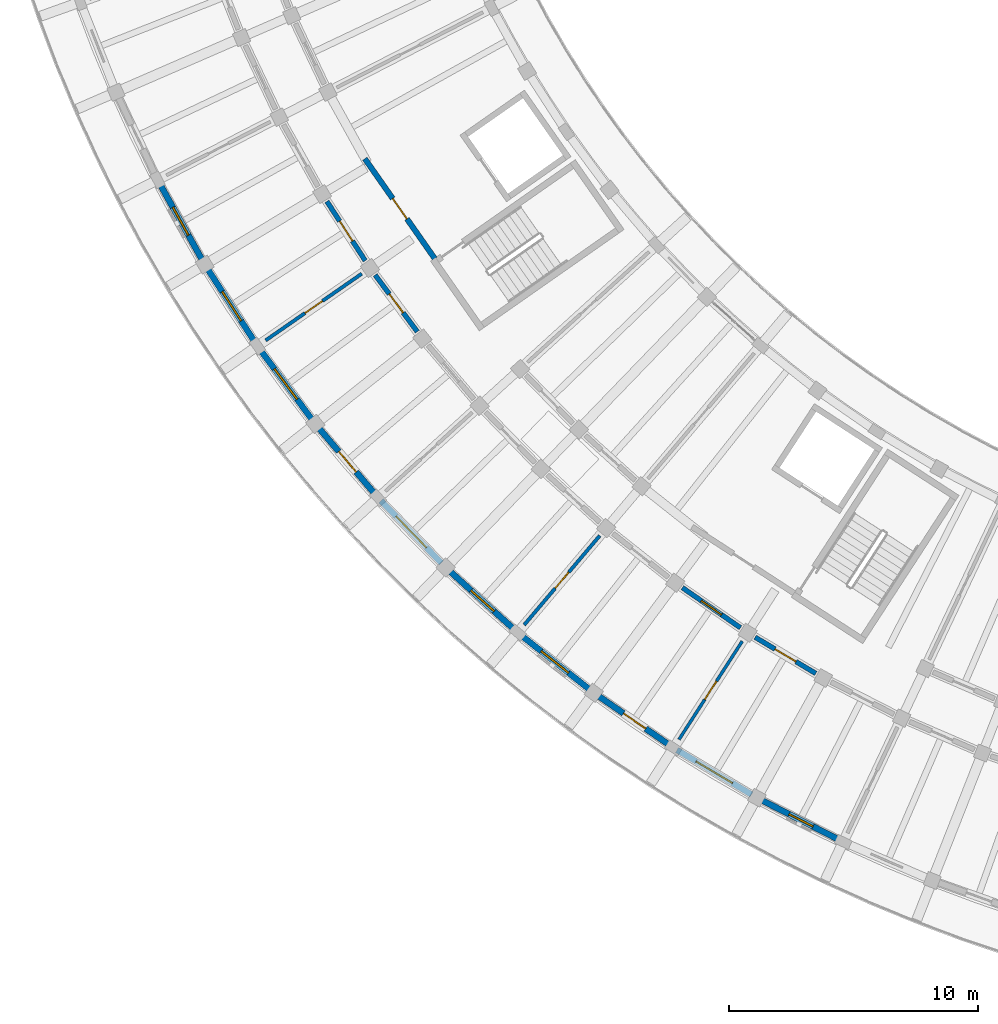
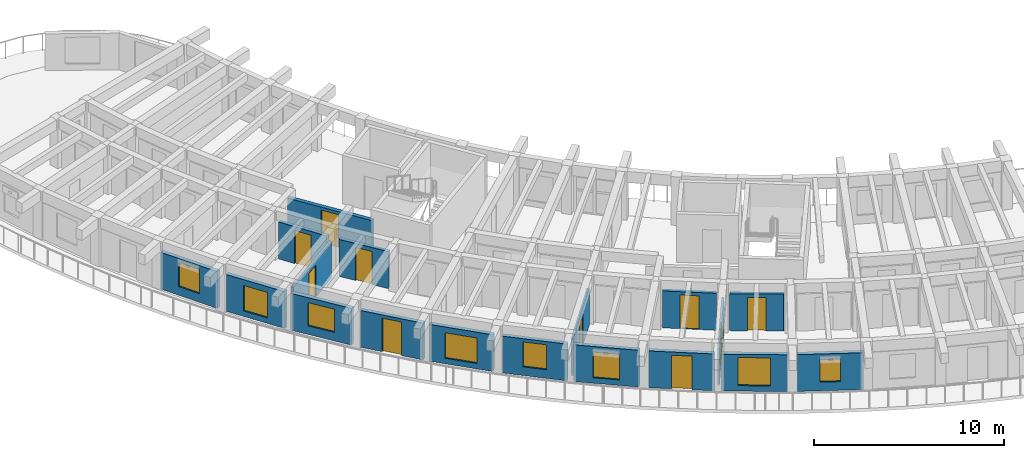
# One storey, part 27 of 69: 18 walls, 10 doors, 8 windows, 18 openings.
"""IFC4 building model written with IfcOpenShell, lengths in metres."""

import ifcopenshell
import ifcopenshell.guid

model = None  # the IFC model being written
_history = None  # IfcOwnerHistory: only IFC2X3 demands one
_inside = {}  # id of a spatial element -> (the spatial element, [elements in it])
_under = {}  # id of a project, library or spatial element -> (it, [spatial elements below it])
_declared = {}  # id of a project -> (the project, [libraries it declares])
_typed = {}  # id of a type object -> (the type object, [elements of that type])
_made_of = {}  # id of a material, layer set ... -> (it, [elements and type objects made of it])


def new_model(schema):
    """Start an empty IFC model of exactly this schema.

    Asked for "IFC4X3", IfcOpenShell would pick the latest addendum, in which some entities
    have other attributes; the version numbers below select the first issue.
    IFC2X3 requires an IfcOwnerHistory on every rooted entity: one is made here for all.
    """
    global model, _history
    if schema == "IFC4X3":
        model = ifcopenshell.file(schema_version=(4, 3, 0, 0))
    else:
        model = ifcopenshell.file(schema=schema)
    _inside.clear()
    _under.clear()
    _declared.clear()
    _typed.clear()
    _made_of.clear()
    _history = None
    if model.schema == "IFC2X3":
        org = make("IfcOrganization", Name="unknown")
        user = make(
            "IfcPersonAndOrganization",
            ThePerson=make("IfcPerson", FamilyName="unknown"),
            TheOrganization=org,
        )
        app = make(
            "IfcApplication",
            ApplicationDeveloper=org,
            Version="unknown",
            ApplicationFullName="unknown",
            ApplicationIdentifier="unknown",
        )
        _history = make(
            "IfcOwnerHistory",
            OwningUser=user,
            OwningApplication=app,
            ChangeAction="ADDED",
            CreationDate=0,
        )
    return model


def make(cls, **values):
    """One entity of the class cls with the attributes given. An attribute that is None is left unset."""
    return model.create_entity(
        cls, **{name: value for name, value in values.items() if value is not None}
    )


def rooted(cls, **values):
    """An entity with a GlobalId (a new one), such as an element, a storey or a relation."""
    return make(cls, GlobalId=ifcopenshell.guid.new(), OwnerHistory=_history, **values)


def si_unit(unit_type, name, prefix=None):
    """IfcSIUnit, for example si_unit("LENGTHUNIT", "METRE", prefix="MILLI")."""
    return make("IfcSIUnit", UnitType=unit_type, Prefix=prefix, Name=name)


def assignment(units):
    """IfcUnitAssignment: the units of a project."""
    return None if units is None else make("IfcUnitAssignment", Units=units)


def point(xyz):
    """IfcCartesianPoint."""
    return None if xyz is None else make("IfcCartesianPoint", Coordinates=xyz)


def direction(xyz):
    """IfcDirection."""
    return None if xyz is None else make("IfcDirection", DirectionRatios=xyz)


def frame(location, z_axis=None, x_axis=None):
    """IfcAxis2Placement3D, a coordinate frame: its origin and axes. An axis left out is left unset."""
    return make(
        "IfcAxis2Placement3D",
        Location=point(location),
        Axis=direction(z_axis),
        RefDirection=direction(x_axis),
    )


def frame_2d(location, x_axis=None):
    """IfcAxis2Placement2D, a coordinate frame in the plane: its origin and x axis."""
    return make(
        "IfcAxis2Placement2D", Location=point(location), RefDirection=direction(x_axis)
    )


def origin():
    """The frame at (0, 0, 0) with its axes left unset."""
    return frame((0.0, 0.0, 0.0))


def place(relative_to, where):
    """IfcLocalPlacement: puts the frame where relative to a parent placement (None: the world)."""
    return make(
        "IfcLocalPlacement", PlacementRelTo=relative_to, RelativePlacement=where
    )


def context(
    kind, dimensions, precision=None, world=None, true_north=None, identifier=None
):
    """IfcGeometricRepresentationContext, for example the 3D "Model" context."""
    return make(
        "IfcGeometricRepresentationContext",
        ContextIdentifier=identifier,
        ContextType=kind,
        CoordinateSpaceDimension=dimensions,
        Precision=precision,
        WorldCoordinateSystem=world,
        TrueNorth=true_north,
    )


def subcontext(parent, identifier, kind, view, scale=None):
    """IfcGeometricRepresentationSubContext, for example "Body" below "Model"."""
    return make(
        "IfcGeometricRepresentationSubContext",
        ContextIdentifier=identifier,
        ContextType=kind,
        ParentContext=parent,
        TargetScale=scale,
        TargetView=view,
    )


def project(units=None, contexts=None):
    """IfcProject with its units and contexts."""
    return rooted(
        "IfcProject",
        Name="project",
        RepresentationContexts=contexts,
        UnitsInContext=assignment(units),
    )


def spatial(cls, under=None, at=None, **own):
    """A site, building, storey or space (cls), placed at a placement, below another one or the project."""
    s = rooted(cls, ObjectPlacement=at, **own)
    if under is not None:
        _under.setdefault(under.id(), (under, []))[1].append(s)
    return s


def profile(cls, at=None, kind="AREA", **sizes):
    """A parametric profile (cls). Its sizes go by their IFC names, for example OverallWidth=200.0."""
    return make(cls, ProfileType=kind, Position=at, **sizes)


def rectangle(**sizes):
    """IfcRectangleProfileDef."""
    return profile("IfcRectangleProfileDef", **sizes)


def extrude(swept, where, along, depth):
    """IfcExtrudedAreaSolid: the profile swept, set in the frame where, extruded along a direction by depth."""
    return make(
        "IfcExtrudedAreaSolid",
        SweptArea=swept,
        Position=where,
        ExtrudedDirection=direction(along),
        Depth=depth,
    )


def shape(context_of_items, identifier, shape_type, items):
    """IfcShapeRepresentation: the items that make up one representation, for example the "Body"."""
    return make(
        "IfcShapeRepresentation",
        ContextOfItems=context_of_items,
        RepresentationIdentifier=identifier,
        RepresentationType=shape_type,
        Items=items,
    )


def material(Name=None, Category=None):
    """IfcMaterial."""
    return make("IfcMaterial", Name=Name, Category=Category)


def layer(
    of_material, thickness, ventilated=None, Name=None, Category=None, Priority=None
):
    """IfcMaterialLayer: one layer of a wall or slab, of a material (None: an air gap)."""
    return make(
        "IfcMaterialLayer",
        Material=of_material,
        LayerThickness=thickness,
        IsVentilated=ventilated,
        Name=Name,
        Category=Category,
        Priority=Priority,
    )


def layer_set(layers, Name=None):
    """IfcMaterialLayerSet."""
    return make("IfcMaterialLayerSet", MaterialLayers=layers, LayerSetName=Name)


def made_of(thing, what):
    """Note that an element or type object is made of a material, layer set ...; save() writes the relation."""
    if what is not None:
        _made_of.setdefault(what.id(), (what, []))[1].append(thing)
    return thing


def type_object(cls, material=None, **own):
    """A type object (cls), such as IfcWallType, which elements share."""
    return made_of(rooted(cls, **own), material)


def element(
    cls,
    number,
    at=None,
    inside=None,
    cuts=None,
    type_object=None,
    material=None,
    context=None,
    identifier="Body",
    shape_type=None,
    held_by="IfcProductDefinitionShape",
    body=None,
    shapes=None,
    **own,
):
    """One element of the class cls, such as IfcWall. Its Tag is "e" and its number.

    at: its placement. inside: the storey or other place that contains it. cuts: it is an
    opening in that element (IfcRelVoidsElement). A single representation is given by context,
    identifier, shape_type and body (its items); several are given by shapes. held_by: the class
    of the entity that holds the representations. save() writes the other relations.
    """
    e = rooted(cls, Tag="e%d" % number, ObjectPlacement=at, **own)
    if body is not None:
        shapes = [shape(context, identifier, shape_type, body)]
    if shapes is not None:
        e.Representation = make(held_by, Representations=shapes)
    if inside is not None:
        _inside.setdefault(inside.id(), (inside, []))[1].append(e)
    if cuts is not None:
        rooted(
            "IfcRelVoidsElement", RelatingBuildingElement=cuts, RelatedOpeningElement=e
        )
    if type_object is not None:
        _typed.setdefault(type_object.id(), (type_object, []))[1].append(e)
    return made_of(e, material)


def fill(opening, filler):
    """IfcRelFillsElement: the door or window that sits in an opening."""
    return rooted(
        "IfcRelFillsElement",
        RelatingOpeningElement=opening,
        RelatedBuildingElement=filler,
    )


def aggregate(whole, parts):
    """IfcRelAggregates: a whole, such as a stair, and the parts it consists of."""
    return rooted("IfcRelAggregates", RelatingObject=whole, RelatedObjects=parts)


def save(model, path):
    """Write the relations noted so far, then the file.

    IfcRelAggregates (storeys below a building ...), IfcRelContainedInSpatialStructure (elements
    in a storey), IfcRelDefinesByType, IfcRelAssociatesMaterial and IfcRelDeclares: one each for
    every whole, place, type object, material and project.
    """
    for whole, parts in _under.values():
        aggregate(whole, parts)
    for where, things in _inside.values():
        rooted(
            "IfcRelContainedInSpatialStructure",
            RelatedElements=things,
            RelatingStructure=where,
        )
    for kind, things in _typed.values():
        rooted("IfcRelDefinesByType", RelatedObjects=things, RelatingType=kind)
    for what, things in _made_of.values():
        rooted("IfcRelAssociatesMaterial", RelatedObjects=things, RelatingMaterial=what)
    for by, libraries in _declared.values():
        rooted("IfcRelDeclares", RelatingContext=by, RelatedDefinitions=libraries)
    model.write(path)


model = new_model("IFC4")

# Units and contexts
model_context = context("Model", 3, precision=1e-05, world=origin(), true_north=direction((0.0, 1.0)))
body_context = subcontext(model_context, "Body", "Model", "MODEL_VIEW")
ifc_project = project(units=[si_unit("LENGTHUNIT", "METRE"), si_unit("AREAUNIT", "SQUARE_METRE"), si_unit("VOLUMEUNIT", "CUBIC_METRE"), si_unit("PLANEANGLEUNIT", "RADIAN"), si_unit("MASSUNIT", "GRAM", prefix="KILO")], contexts=[model_context])

# Site, building, storey
site_placement = place(None, origin())
site = spatial("IfcSite", under=ifc_project, at=site_placement, CompositionType="ELEMENT")
building_placement = place(site_placement, origin())
building = spatial("IfcBuilding", under=site, at=building_placement, Name="Tanwirah Colonnade Gardens", CompositionType="ELEMENT")
storey_placement = place(building_placement, frame((0.0, 0.0, 15.56005859375)))
storey = spatial("IfcBuildingStorey", under=building, at=storey_placement, Name="L04", CompositionType="ELEMENT", Elevation=15.56005859375)

# Wall, opening, window
ifc_material_1 = material(Name="Limestone architectural precast concrete C40/50", Category="masonry")
ifc_layer_1 = layer(ifc_material_1, 0.2451171875)
ifc_layer_set_1 = layer_set([ifc_layer_1], Name="Limestone architectural precast concrete C40/50")
wall_type_1 = type_object("IfcWallType", Name="EW-PC245", PredefinedType="SOLIDWALL", material=ifc_layer_set_1)
wall_1_placement = place(storey_placement, frame((12.136962890625, 37.09375, 0.0), z_axis=(0.0, 0.0, 1.0), x_axis=(0.486706738221, -0.87356542455, 0.0)))
wall_1 = element("IfcWall", 1, at=wall_1_placement, inside=storey, type_object=wall_type_1, Name="Block C L04 OUT Precast Facade Wall 3", PredefinedType="SOLIDWALL", context=body_context, shape_type="SweptSolid", body=[
    extrude(rectangle(XDim=3.48681640625, YDim=0.2451171875, at=frame_2d((1.743408203125, 0.0))), origin(), (0.0, 0.0, 1.0), 2.35498046875),
])
opening_1_placement = place(wall_1_placement, frame((1.103515625, 0.0, 0.550048828125)))
opening_1 = element("IfcOpeningElement", 2, at=opening_1_placement, cuts=wall_1, Name="Opening WIN-U04", PredefinedType="OPENING", context=body_context, shape_type="SweptSolid", body=[
    extrude(rectangle(XDim=1.280029296875, YDim=1.56005859375, at=frame_2d((0.64013671875, 0.780029296875))), frame((0.0, 0.132568359375, 0.0), z_axis=(0.0, -1.0, 0.0), x_axis=(1.0, 0.0, 0.0)), (0.0, 0.0, 1.0), 0.26513671875),
])
ifc_material_2 = material(Name="Thermally broken bronze aluminium and solar low-E double glazing", Category="aluminium")
window_type_1 = type_object("IfcWindowType", Name="WIN-U04", PartitioningType="DOUBLE_PANEL_VERTICAL", PredefinedType="WINDOW", material=ifc_material_2)
window_1_placement = place(opening_1_placement, origin())
window_1 = element("IfcWindow", 3, at=window_1_placement, inside=storey, type_object=window_type_1, Name="Facade window C-L04-OUT-03", OverallHeight=1.56005859375, OverallWidth=1.280029296875, PartitioningType="SINGLE_PANEL", PredefinedType="WINDOW", context=body_context, shape_type="SweptSolid", body=[
    extrude(rectangle(XDim=1.280029296875, YDim=1.56005859375, at=frame_2d((0.64013671875, 0.780029296875))), frame((0.0, 0.030029296875, 0.0), z_axis=(0.0, -1.0, 0.0), x_axis=(1.0, 0.0, 0.0)), (0.0, 0.0, 1.0), 0.06005859375),
])
fill(opening_1, window_1)

wall_2_placement = place(storey_placement, frame((14.09130859375, 33.61962890625, 0.0), z_axis=(0.0, 0.0, 1.0), x_axis=(0.542833164741, -0.839840553472, 0.0)))
wall_2 = element("IfcWall", 4, at=wall_2_placement, inside=storey, type_object=wall_type_1, Name="Block C L04 OUT Precast Facade Wall 4", PredefinedType="SOLIDWALL", context=body_context, shape_type="SweptSolid", body=[
    extrude(rectangle(XDim=3.48681640625, YDim=0.2451171875, at=frame_2d((1.743408203125, 0.0))), origin(), (0.0, 0.0, 1.0), 2.35498046875),
])
opening_2_placement = place(wall_2_placement, frame((1.04345703125, 0.0, 0.35009765625)))
opening_2 = element("IfcOpeningElement", 5, at=opening_2_placement, cuts=wall_2, Name="Opening WIN-U07", PredefinedType="OPENING", context=body_context, shape_type="SweptSolid", body=[
    extrude(rectangle(XDim=1.39990234375, YDim=1.635009765625, at=frame_2d((0.699951171875, 0.8173828125))), frame((0.0, 0.132568359375, 0.0), z_axis=(0.0, -1.0, 0.0), x_axis=(1.0, 0.0, 0.0)), (0.0, 0.0, 1.0), 0.26513671875),
])
window_type_2 = type_object("IfcWindowType", Name="WIN-U07", PartitioningType="DOUBLE_PANEL_VERTICAL", PredefinedType="WINDOW", material=ifc_material_2)
window_2_placement = place(opening_2_placement, origin())
window_2 = element("IfcWindow", 6, at=window_2_placement, inside=storey, type_object=window_type_2, Name="Facade window C-L04-OUT-04", OverallHeight=1.635009765625, OverallWidth=1.39990234375, PartitioningType="SINGLE_PANEL", PredefinedType="WINDOW", context=body_context, shape_type="SweptSolid", body=[
    extrude(rectangle(XDim=1.39990234375, YDim=1.635009765625, at=frame_2d((0.699951171875, 0.8173828125))), frame((0.0, 0.030029296875, 0.0), z_axis=(0.0, -1.0, 0.0), x_axis=(1.0, 0.0, 0.0)), (0.0, 0.0, 1.0), 0.06005859375),
])
fill(opening_2, window_2)

wall_3_placement = place(storey_placement, frame((16.166259765625, 30.42822265625, 0.0), z_axis=(0.0, 0.0, 1.0), x_axis=(0.596611432616, -0.802530247699, 0.0)))
wall_3 = element("IfcWall", 7, at=wall_3_placement, inside=storey, type_object=wall_type_1, Name="Block C L04 OUT Precast Facade Wall 5", PredefinedType="SOLIDWALL", context=body_context, shape_type="SweptSolid", body=[
    extrude(rectangle(XDim=3.48681640625, YDim=0.2451171875, at=frame_2d((1.743408203125, 0.0))), origin(), (0.0, 0.0, 1.0), 2.35498046875),
])
opening_3_placement = place(wall_3_placement, frame((0.9833984375, 0.0, 0.550048828125)))
opening_3 = element("IfcOpeningElement", 8, at=opening_3_placement, cuts=wall_3, Name="Opening WIN-U10", PredefinedType="OPENING", context=body_context, shape_type="SweptSolid", body=[
    extrude(rectangle(XDim=1.52001953125, YDim=1.485107421875, at=frame_2d((0.760009765625, 0.74267578125))), frame((0.0, 0.132568359375, 0.0), z_axis=(0.0, -1.0, 0.0), x_axis=(1.0, 0.0, 0.0)), (0.0, 0.0, 1.0), 0.26513671875),
])
window_type_3 = type_object("IfcWindowType", Name="WIN-U10", PartitioningType="DOUBLE_PANEL_VERTICAL", PredefinedType="WINDOW", material=ifc_material_2)
window_3_placement = place(opening_3_placement, origin())
window_3 = element("IfcWindow", 9, at=window_3_placement, inside=storey, type_object=window_type_3, Name="Facade window C-L04-OUT-05", OverallHeight=1.485107421875, OverallWidth=1.52001953125, PartitioningType="SINGLE_PANEL", PredefinedType="WINDOW", context=body_context, shape_type="SweptSolid", body=[
    extrude(rectangle(XDim=1.52001953125, YDim=1.485107421875, at=frame_2d((0.760009765625, 0.74267578125))), frame((0.0, 0.030029296875, 0.0), z_axis=(0.0, -1.0, 0.0), x_axis=(1.0, 0.0, 0.0)), (0.0, 0.0, 1.0), 0.06005859375),
])
fill(opening_3, window_3)

# Wall, opening, door
wall_4_placement = place(storey_placement, frame((18.5576171875, 27.23876953125, 0.0), z_axis=(0.0, 0.0, 1.0), x_axis=(0.647811002696, -0.761801092665, 0.0)))
wall_4 = element("IfcWall", 10, at=wall_4_placement, inside=storey, type_object=wall_type_1, Name="Block C L04 OUT Precast Facade Wall 6", PredefinedType="SOLIDWALL", context=body_context, shape_type="SweptSolid", body=[
    extrude(rectangle(XDim=3.48681640625, YDim=0.2451171875, at=frame_2d((1.743408203125, 0.0))), origin(), (0.0, 0.0, 1.0), 2.35498046875),
])
opening_4_placement = place(wall_4_placement, frame((1.203369140625, 0.0, 0.0)))
opening_4 = element("IfcOpeningElement", 11, at=opening_4_placement, cuts=wall_4, Name="Opening L04-ED145", PredefinedType="OPENING", context=body_context, shape_type="SweptSolid", body=[
    extrude(rectangle(XDim=1.080078125, YDim=2.14990234375, at=frame_2d((0.5400390625, 1.074951171875))), frame((0.0, 0.132568359375, 0.0), z_axis=(0.0, -1.0, 0.0), x_axis=(1.0, 0.0, 0.0)), (0.0, 0.0, 1.0), 0.26513671875),
])
ifc_material_3 = material(Name="Bronze aluminium glazed balcony door", Category="aluminium")
door_type_1 = type_object("IfcDoorType", Name="ED-BAL108", OperationType="NOTDEFINED", PredefinedType="DOOR", material=ifc_material_3)
door_1_placement = place(opening_4_placement, origin())
door_1 = element("IfcDoor", 12, at=door_1_placement, inside=storey, type_object=door_type_1, Name="Balcony glazed door L04-ED145", OperationType="SINGLE_SWING_LEFT", OverallHeight=2.14990234375, OverallWidth=1.080078125, PredefinedType="DOOR", context=body_context, shape_type="SweptSolid", body=[
    extrude(rectangle(XDim=1.080078125, YDim=2.14990234375, at=frame_2d((0.5400390625, 1.074951171875))), frame((0.0, 0.02490234375, 0.0), z_axis=(0.0, -1.0, 0.0), x_axis=(1.0, 0.0, 0.0)), (0.0, 0.0, 1.0), 0.050048828125),
])
fill(opening_4, door_1)

# Wall, opening, window
wall_5_placement = place(storey_placement, frame((21.031494140625, 24.345703125, 0.0), z_axis=(0.0, 0.0, 1.0), x_axis=(0.696205978342, -0.717842068788, 0.0)))
wall_5 = element("IfcWall", 13, at=wall_5_placement, inside=storey, type_object=wall_type_1, Name="Block C L04 OUT Precast Facade Wall 7", PredefinedType="SOLIDWALL", context=body_context, shape_type="SweptSolid", body=[
    extrude(rectangle(XDim=3.48681640625, YDim=0.2451171875, at=frame_2d((1.743408203125, 0.0))), origin(), (0.0, 0.0, 1.0), 2.35498046875),
])
opening_5_placement = place(wall_5_placement, frame((0.86328125, 0.0, 0.35009765625)))
opening_5 = element("IfcOpeningElement", 14, at=opening_5_placement, cuts=wall_5, Name="Opening WIN-U16", PredefinedType="OPENING", context=body_context, shape_type="SweptSolid", body=[
    extrude(rectangle(XDim=1.760009765625, YDim=1.635009765625, at=frame_2d((0.8798828125, 0.8173828125))), frame((0.0, 0.132568359375, 0.0), z_axis=(0.0, -1.0, 0.0), x_axis=(1.0, 0.0, 0.0)), (0.0, 0.0, 1.0), 0.26513671875),
])
window_type_4 = type_object("IfcWindowType", Name="WIN-U16", PartitioningType="DOUBLE_PANEL_VERTICAL", PredefinedType="WINDOW", material=ifc_material_2)
window_4_placement = place(opening_5_placement, origin())
window_4 = element("IfcWindow", 15, at=window_4_placement, inside=storey, type_object=window_type_4, Name="Facade window C-L04-OUT-07", OverallHeight=1.635009765625, OverallWidth=1.760009765625, PartitioningType="SINGLE_PANEL", PredefinedType="WINDOW", context=body_context, shape_type="SweptSolid", body=[
    extrude(rectangle(XDim=1.760009765625, YDim=1.635009765625, at=frame_2d((0.8798828125, 0.8173828125))), frame((0.0, 0.030029296875, 0.0), z_axis=(0.0, -1.0, 0.0), x_axis=(1.0, 0.0, 0.0)), (0.0, 0.0, 1.0), 0.06005859375),
])
fill(opening_5, window_4)

wall_6_placement = place(storey_placement, frame((23.818603515625, 21.49560546875, 0.0), z_axis=(0.0, 0.0, 1.0), x_axis=(0.741648568445, -0.670788641022, 0.0)))
wall_6 = element("IfcWall", 16, at=wall_6_placement, inside=storey, type_object=wall_type_1, Name="Block C L04 OUT Precast Facade Wall 8", PredefinedType="SOLIDWALL", context=body_context, shape_type="SweptSolid", body=[
    extrude(rectangle(XDim=3.48681640625, YDim=0.2451171875, at=frame_2d((1.743408203125, 0.0))), origin(), (0.0, 0.0, 1.0), 2.35498046875),
])
opening_6_placement = place(wall_6_placement, frame((1.118408203125, 0.0, 0.550048828125)))
opening_6 = element("IfcOpeningElement", 17, at=opening_6_placement, cuts=wall_6, Name="Opening WIN-T03", PredefinedType="OPENING", context=body_context, shape_type="SweptSolid", body=[
    extrude(rectangle(XDim=1.25, YDim=1.60009765625, at=frame_2d((0.625, 0.800048828125))), frame((0.0, 0.132568359375, 0.0), z_axis=(0.0, -1.0, 0.0), x_axis=(1.0, 0.0, 0.0)), (0.0, 0.0, 1.0), 0.26513671875),
])
window_type_5 = type_object("IfcWindowType", Name="WIN-T03", PartitioningType="SINGLE_PANEL", PredefinedType="WINDOW", material=ifc_material_2)
window_5_placement = place(opening_6_placement, origin())
window_5 = element("IfcWindow", 18, at=window_5_placement, inside=storey, type_object=window_type_5, Name="Facade window C-L04-OUT-08", OverallHeight=1.60009765625, OverallWidth=1.25, PartitioningType="SINGLE_PANEL", PredefinedType="WINDOW", context=body_context, shape_type="SweptSolid", body=[
    extrude(rectangle(XDim=1.25, YDim=1.60009765625, at=frame_2d((0.625, 0.800048828125))), frame((0.0, 0.030029296875, 0.0), z_axis=(0.0, -1.0, 0.0), x_axis=(1.0, 0.0, 0.0)), (0.0, 0.0, 1.0), 0.06005859375),
])
fill(opening_6, window_5)

wall_7_placement = place(storey_placement, frame((26.648681640625, 18.9501953125, 0.0), z_axis=(0.0, 0.0, 1.0), x_axis=(0.78398760997, -0.620776471376, 0.0)))
wall_7 = element("IfcWall", 19, at=wall_7_placement, inside=storey, type_object=wall_type_1, Name="Block C L04 OUT Precast Facade Wall 9", PredefinedType="SOLIDWALL", context=body_context, shape_type="SweptSolid", body=[
    extrude(rectangle(XDim=3.48681640625, YDim=0.2451171875, at=frame_2d((1.743408203125, 0.0))), origin(), (0.0, 0.0, 1.0), 2.35498046875),
])
opening_7_placement = place(wall_7_placement, frame((1.04345703125, 0.0, 0.35009765625)))
opening_7 = element("IfcOpeningElement", 20, at=opening_7_placement, cuts=wall_7, Name="Opening WIN-T06", PredefinedType="OPENING", context=body_context, shape_type="SweptSolid", body=[
    extrude(rectangle(XDim=1.39990234375, YDim=1.64990234375, at=frame_2d((0.699951171875, 0.824951171875))), frame((0.0, 0.132568359375, 0.0), z_axis=(0.0, -1.0, 0.0), x_axis=(1.0, 0.0, 0.0)), (0.0, 0.0, 1.0), 0.26513671875),
])
window_type_6 = type_object("IfcWindowType", Name="WIN-T06", PartitioningType="DOUBLE_PANEL_VERTICAL", PredefinedType="WINDOW", material=ifc_material_2)
window_6_placement = place(opening_7_placement, origin())
window_6 = element("IfcWindow", 21, at=window_6_placement, inside=storey, type_object=window_type_6, Name="Facade window C-L04-OUT-09", OverallHeight=1.64990234375, OverallWidth=1.39990234375, PartitioningType="SINGLE_PANEL", PredefinedType="WINDOW", context=body_context, shape_type="SweptSolid", body=[
    extrude(rectangle(XDim=1.39990234375, YDim=1.64990234375, at=frame_2d((0.699951171875, 0.824951171875))), frame((0.0, 0.030029296875, 0.0), z_axis=(0.0, -1.0, 0.0), x_axis=(1.0, 0.0, 0.0)), (0.0, 0.0, 1.0), 0.06005859375),
])
fill(opening_7, window_6)

# Wall, opening, door
wall_8_placement = place(storey_placement, frame((29.783935546875, 16.48828125, 0.0), z_axis=(0.0, 0.0, 1.0), x_axis=(0.822902356734, -0.568182815017, 0.0)))
wall_8 = element("IfcWall", 22, at=wall_8_placement, inside=storey, type_object=wall_type_1, Name="Block C L04 OUT Precast Facade Wall 10", PredefinedType="SOLIDWALL", context=body_context, shape_type="SweptSolid", body=[
    extrude(rectangle(XDim=3.48681640625, YDim=0.2451171875, at=frame_2d((1.743408203125, 0.0))), origin(), (0.0, 0.0, 1.0), 2.35498046875),
])
opening_8_placement = place(wall_8_placement, frame((1.203369140625, 0.0, 0.0)))
opening_8 = element("IfcOpeningElement", 23, at=opening_8_placement, cuts=wall_8, Name="Opening L04-ED146", PredefinedType="OPENING", context=body_context, shape_type="SweptSolid", body=[
    extrude(rectangle(XDim=1.080078125, YDim=2.14990234375, at=frame_2d((0.5400390625, 1.074951171875))), frame((0.0, 0.132568359375, 0.0), z_axis=(0.0, -1.0, 0.0), x_axis=(1.0, 0.0, 0.0)), (0.0, 0.0, 1.0), 0.26513671875),
])
door_2_placement = place(opening_8_placement, origin())
door_2 = element("IfcDoor", 24, at=door_2_placement, inside=storey, type_object=door_type_1, Name="Balcony glazed door L04-ED146", OperationType="SINGLE_SWING_LEFT", OverallHeight=2.14990234375, OverallWidth=1.080078125, PredefinedType="DOOR", context=body_context, shape_type="SweptSolid", body=[
    extrude(rectangle(XDim=1.080078125, YDim=2.14990234375, at=frame_2d((0.5400390625, 1.074951171875))), frame((0.0, 0.02490234375, 0.0), z_axis=(0.0, -1.0, 0.0), x_axis=(1.0, 0.0, 0.0)), (0.0, 0.0, 1.0), 0.050048828125),
])
fill(opening_8, door_2)

# Wall, opening, window
wall_9_placement = place(storey_placement, frame((32.92236328125, 14.333984375, 0.0), z_axis=(0.0, 0.0, 1.0), x_axis=(0.858288874148, -0.513166842766, 0.0)))
wall_9 = element("IfcWall", 25, at=wall_9_placement, inside=storey, type_object=wall_type_1, Name="Block C L04 OUT Precast Facade Wall 11", PredefinedType="SOLIDWALL", context=body_context, shape_type="SweptSolid", body=[
    extrude(rectangle(XDim=3.48681640625, YDim=0.2451171875, at=frame_2d((1.743408203125, 0.0))), origin(), (0.0, 0.0, 1.0), 2.35498046875),
])
opening_9_placement = place(wall_9_placement, frame((0.893310546875, 0.0, 0.35009765625)))
opening_9 = element("IfcOpeningElement", 26, at=opening_9_placement, cuts=wall_9, Name="Opening WIN-T12", PredefinedType="OPENING", context=body_context, shape_type="SweptSolid", body=[
    extrude(rectangle(XDim=1.699951171875, YDim=1.800048828125, at=frame_2d((0.85009765625, 0.89990234375))), frame((0.0, 0.132568359375, 0.0), z_axis=(0.0, -1.0, 0.0), x_axis=(1.0, 0.0, 0.0)), (0.0, 0.0, 1.0), 0.26513671875),
])
window_type_7 = type_object("IfcWindowType", Name="WIN-T12", PartitioningType="TRIPLE_PANEL_VERTICAL", PredefinedType="WINDOW", material=ifc_material_2)
window_7_placement = place(opening_9_placement, origin())
window_7 = element("IfcWindow", 27, at=window_7_placement, inside=storey, type_object=window_type_7, Name="Facade window C-L04-OUT-11", OverallHeight=1.800048828125, OverallWidth=1.699951171875, PartitioningType="SINGLE_PANEL", PredefinedType="WINDOW", context=body_context, shape_type="SweptSolid", body=[
    extrude(rectangle(XDim=1.699951171875, YDim=1.800048828125, at=frame_2d((0.85009765625, 0.89990234375))), frame((0.0, 0.030029296875, 0.0), z_axis=(0.0, -1.0, 0.0), x_axis=(1.0, 0.0, 0.0)), (0.0, 0.0, 1.0), 0.06005859375),
])
fill(opening_9, window_7)

wall_10_placement = place(storey_placement, frame((36.35205078125, 12.302490234375, 0.0), z_axis=(0.0, 0.0, 1.0), x_axis=(0.890001092753, -0.45595839163, 0.0)))
wall_10 = element("IfcWall", 28, at=wall_10_placement, inside=storey, type_object=wall_type_1, Name="Block C L04 OUT Precast Facade Wall 12", PredefinedType="SOLIDWALL", context=body_context, shape_type="SweptSolid", body=[
    extrude(rectangle(XDim=3.48681640625, YDim=0.2451171875, at=frame_2d((1.743408203125, 0.0))), origin(), (0.0, 0.0, 1.0), 2.35498046875),
])
opening_10_placement = place(wall_10_placement, frame((1.203369140625, 0.0, 0.550048828125)))
opening_10 = element("IfcOpeningElement", 29, at=opening_10_placement, cuts=wall_10, Name="Opening WIN-T15", PredefinedType="OPENING", context=body_context, shape_type="SweptSolid", body=[
    extrude(rectangle(XDim=1.080078125, YDim=1.449951171875, at=frame_2d((0.5400390625, 0.72509765625))), frame((0.0, 0.132568359375, 0.0), z_axis=(0.0, -1.0, 0.0), x_axis=(1.0, 0.0, 0.0)), (0.0, 0.0, 1.0), 0.26513671875),
])
window_type_8 = type_object("IfcWindowType", Name="WIN-T15", PartitioningType="SINGLE_PANEL", PredefinedType="WINDOW", material=ifc_material_2)
window_8_placement = place(opening_10_placement, origin())
window_8 = element("IfcWindow", 30, at=window_8_placement, inside=storey, type_object=window_type_8, Name="Facade window C-L04-OUT-12", OverallHeight=1.449951171875, OverallWidth=1.080078125, PartitioningType="SINGLE_PANEL", PredefinedType="WINDOW", context=body_context, shape_type="SweptSolid", body=[
    extrude(rectangle(XDim=1.080078125, YDim=1.449951171875, at=frame_2d((0.5400390625, 0.72509765625))), frame((0.0, 0.030029296875, 0.0), z_axis=(0.0, -1.0, 0.0), x_axis=(1.0, 0.0, 0.0)), (0.0, 0.0, 1.0), 0.06005859375),
])
fill(opening_10, window_8)

# Wall, opening, door
ifc_material_4 = material(Name="Precast concrete C40/50", Category="concrete")
ifc_layer_2 = layer(ifc_material_4, 0.195068359375)
ifc_layer_set_2 = layer_set([ifc_layer_2], Name="Precast concrete C40/50")
wall_type_2 = type_object("IfcWallType", Name="IW-CORR195", PredefinedType="PARTITIONING", material=ifc_layer_set_2)
wall_11_placement = place(storey_placement, frame((18.860107421875, 36.3681640625, 0.0), z_axis=(0.0, 0.0, 1.0), x_axis=(0.542787304957, -0.83987019329, 0.0)))
wall_11 = element("IfcWall", 31, at=wall_11_placement, inside=storey, type_object=wall_type_2, Name="Block C L04 OUT Corridor Wall 4", PredefinedType="PARTITIONING", context=body_context, shape_type="SweptSolid", body=[
    extrude(rectangle(XDim=2.8369140625, YDim=0.195068359375, at=frame_2d((1.41845703125, 0.0))), origin(), (0.0, 0.0, 1.0), 2.369873046875),
])
opening_11_placement = place(wall_11_placement, frame((0.943603515625, 0.0, 0.0)))
opening_11 = element("IfcOpeningElement", 32, at=opening_11_placement, cuts=wall_11, Name="Opening L04-AD1439", PredefinedType="OPENING", context=body_context, shape_type="SweptSolid", body=[
    extrude(rectangle(XDim=0.949951171875, YDim=2.1298828125, at=frame_2d((0.47509765625, 1.06494140625))), frame((0.0, 0.107421875, 0.0), z_axis=(0.0, -1.0, 0.0), x_axis=(1.0, 0.0, 0.0)), (0.0, 0.0, 1.0), 0.215087890625),
])
ifc_material_5 = material(Name="Solid oak fire-resisting apartment entrance door")
door_type_2 = type_object("IfcDoorType", Name="ID-FLT095", OperationType="NOTDEFINED", PredefinedType="DOOR", material=ifc_material_5)
door_3_placement = place(opening_11_placement, origin())
door_3 = element("IfcDoor", 33, at=door_3_placement, inside=storey, type_object=door_type_2, Name="Apartment corridor door L04-AD1439", OperationType="SINGLE_SWING_LEFT", OverallHeight=2.1298828125, OverallWidth=0.949951171875, PredefinedType="DOOR", context=body_context, shape_type="SweptSolid", body=[
    extrude(rectangle(XDim=0.949951171875, YDim=2.1298828125, at=frame_2d((0.47509765625, 1.06494140625))), frame((0.0, 0.02490234375, 0.0), z_axis=(0.0, -1.0, 0.0), x_axis=(1.0, 0.0, 0.0)), (0.0, 0.0, 1.0), 0.050048828125),
])
fill(opening_11, door_3)

wall_12_placement = place(storey_placement, frame((20.798828125, 33.410888671875, 0.0), z_axis=(0.0, 0.0, 1.0), x_axis=(0.596552136601, -0.802574325727, 0.0)))
wall_12 = element("IfcWall", 34, at=wall_12_placement, inside=storey, type_object=wall_type_2, Name="Block C L04 OUT Corridor Wall 5", PredefinedType="PARTITIONING", context=body_context, shape_type="SweptSolid", body=[
    extrude(rectangle(XDim=2.8369140625, YDim=0.195068359375, at=frame_2d((1.41845703125, 0.0))), origin(), (0.0, 0.0, 1.0), 2.369873046875),
])
opening_12_placement = place(wall_12_placement, frame((0.95361328125, 0.0, 0.0)))
opening_12 = element("IfcOpeningElement", 35, at=opening_12_placement, cuts=wall_12, Name="Opening L04-AD1441", PredefinedType="OPENING", context=body_context, shape_type="SweptSolid", body=[
    extrude(rectangle(XDim=0.929931640625, YDim=2.1201171875, at=frame_2d((0.46484375, 1.06005859375))), frame((0.0, 0.107421875, 0.0), z_axis=(0.0, -1.0, 0.0), x_axis=(1.0, 0.0, 0.0)), (0.0, 0.0, 1.0), 0.215087890625),
])
door_type_3 = type_object("IfcDoorType", Name="ID-FLT093", OperationType="NOTDEFINED", PredefinedType="DOOR", material=ifc_material_5)
door_4_placement = place(opening_12_placement, origin())
door_4 = element("IfcDoor", 36, at=door_4_placement, inside=storey, type_object=door_type_3, Name="Apartment corridor door L04-AD1441", OperationType="SINGLE_SWING_RIGHT", OverallHeight=2.1201171875, OverallWidth=0.929931640625, PredefinedType="DOOR", context=body_context, shape_type="SweptSolid", body=[
    extrude(rectangle(XDim=0.929931640625, YDim=2.1201171875, at=frame_2d((0.46484375, 1.06005859375))), frame((0.0, 0.02490234375, 0.0), z_axis=(0.0, -1.0, 0.0), x_axis=(1.0, 0.0, 0.0)), (0.0, 0.0, 1.0), 0.050048828125),
])
fill(opening_12, door_4)

wall_13_placement = place(storey_placement, frame((33.137939453125, 20.852783203125, 0.0), z_axis=(0.0, 0.0, 1.0), x_axis=(0.822870075235, -0.568229565653, 0.0)))
wall_13 = element("IfcWall", 37, at=wall_13_placement, inside=storey, type_object=wall_type_2, Name="Block C L04 OUT Corridor Wall 10", PredefinedType="PARTITIONING", context=body_context, shape_type="SweptSolid", body=[
    extrude(rectangle(XDim=2.8369140625, YDim=0.195068359375, at=frame_2d((1.41845703125, 0.0))), origin(), (0.0, 0.0, 1.0), 2.369873046875),
])
opening_13_placement = place(wall_13_placement, frame((0.923583984375, 0.0, 0.0)))
opening_13 = element("IfcOpeningElement", 38, at=opening_13_placement, cuts=wall_13, Name="Opening L04-AD1452", PredefinedType="OPENING", context=body_context, shape_type="SweptSolid", body=[
    extrude(rectangle(XDim=0.989990234375, YDim=2.159912109375, at=frame_2d((0.4951171875, 1.080078125))), frame((0.0, 0.107421875, 0.0), z_axis=(0.0, -1.0, 0.0), x_axis=(1.0, 0.0, 0.0)), (0.0, 0.0, 1.0), 0.215087890625),
])
door_type_4 = type_object("IfcDoorType", Name="ID-FLT099", OperationType="NOTDEFINED", PredefinedType="DOOR", material=ifc_material_5)
door_5_placement = place(opening_13_placement, origin())
door_5 = element("IfcDoor", 39, at=door_5_placement, inside=storey, type_object=door_type_4, Name="Apartment corridor door L04-AD1452", OperationType="SINGLE_SWING_LEFT", OverallHeight=2.159912109375, OverallWidth=0.989990234375, PredefinedType="DOOR", context=body_context, shape_type="SweptSolid", body=[
    extrude(rectangle(XDim=0.989990234375, YDim=2.159912109375, at=frame_2d((0.4951171875, 1.080078125))), frame((0.0, 0.02490234375, 0.0), z_axis=(0.0, -1.0, 0.0), x_axis=(1.0, 0.0, 0.0)), (0.0, 0.0, 1.0), 0.050048828125),
])
fill(opening_13, door_5)

wall_14_placement = place(storey_placement, frame((36.060791015625, 18.8623046875, 0.0), z_axis=(0.0, 0.0, 1.0), x_axis=(0.858281647443, -0.51317892948, 0.0)))
wall_14 = element("IfcWall", 40, at=wall_14_placement, inside=storey, type_object=wall_type_2, Name="Block C L04 OUT Corridor Wall 11", PredefinedType="PARTITIONING", context=body_context, shape_type="SweptSolid", body=[
    extrude(rectangle(XDim=2.8369140625, YDim=0.195068359375, at=frame_2d((1.41845703125, 0.0))), origin(), (0.0, 0.0, 1.0), 2.369873046875),
])
opening_14_placement = place(wall_14_placement, frame((0.93359375, 0.0, 0.0)))
opening_14 = element("IfcOpeningElement", 41, at=opening_14_placement, cuts=wall_14, Name="Opening L04-AD1454", PredefinedType="OPENING", context=body_context, shape_type="SweptSolid", body=[
    extrude(rectangle(XDim=0.969970703125, YDim=2.14990234375, at=frame_2d((0.48486328125, 1.074951171875))), frame((0.0, 0.107421875, 0.0), z_axis=(0.0, -1.0, 0.0), x_axis=(1.0, 0.0, 0.0)), (0.0, 0.0, 1.0), 0.215087890625),
])
door_type_5 = type_object("IfcDoorType", Name="ID-FLT097", OperationType="NOTDEFINED", PredefinedType="DOOR", material=ifc_material_5)
door_6_placement = place(opening_14_placement, origin())
door_6 = element("IfcDoor", 42, at=door_6_placement, inside=storey, type_object=door_type_5, Name="Apartment corridor door L04-AD1454", OperationType="SINGLE_SWING_RIGHT", OverallHeight=2.14990234375, OverallWidth=0.969970703125, PredefinedType="DOOR", context=body_context, shape_type="SweptSolid", body=[
    extrude(rectangle(XDim=0.969970703125, YDim=2.14990234375, at=frame_2d((0.48486328125, 1.074951171875))), frame((0.0, 0.02490234375, 0.0), z_axis=(0.0, -1.0, 0.0), x_axis=(1.0, 0.0, 0.0)), (0.0, 0.0, 1.0), 0.050048828125),
])
fill(opening_14, door_6)

ifc_material_6 = material(Name="Autoclaved aerated masonry blockwork", Category="masonry")
ifc_layer_3 = layer(ifc_material_6, 0.219970703125)
ifc_layer_set_3 = layer_set([ifc_layer_3], Name="Autoclaved aerated masonry blockwork")
wall_type_3 = type_object("IfcWallType", Name="IW-FFL220", PredefinedType="PARTITIONING", material=ifc_layer_set_3)
wall_15_placement = place(storey_placement, frame((23.19482421875, 34.06787109375, 0.0), z_axis=(0.0, 0.0, 1.0), x_axis=(-0.573572687386, 0.819154669329, 0.0)))
wall_15 = element("IfcWall", 43, at=wall_15_placement, inside=storey, type_object=wall_type_3, Name="CORE-C1 L04 Enclosed Lobby Fire Wall", PredefinedType="PARTITIONING", context=body_context, shape_type="SweptSolid", body=[
    extrude(rectangle(XDim=4.900146484375, YDim=0.219970703125, at=frame_2d((2.4501953125, 0.0))), origin(), (0.0, 0.0, 1.0), 2.33984375),
])
opening_15_placement = place(wall_15_placement, frame((1.949951171875, 0.0, 0.0)))
opening_15 = element("IfcOpeningElement", 44, at=opening_15_placement, cuts=wall_15, Name="Opening L04-LD138", PredefinedType="OPENING", context=body_context, shape_type="SweptSolid", body=[
    extrude(rectangle(XDim=1.0, YDim=2.14990234375, at=frame_2d((0.5, 1.074951171875))), frame((0.0, 0.119873046875, 0.0), z_axis=(0.0, -1.0, 0.0), x_axis=(1.0, 0.0, 0.0)), (0.0, 0.0, 1.0), 0.239990234375),
])
ifc_material_7 = material(Name="Acoustic fire-resisting lobby door")
door_type_6 = type_object("IfcDoorType", Name="ID-FFL100", OperationType="NOTDEFINED", PredefinedType="DOOR", material=ifc_material_7)
door_7_placement = place(opening_15_placement, origin())
door_7 = element("IfcDoor", 45, at=door_7_placement, inside=storey, type_object=door_type_6, Name="CORE-C1 L04 Lobby Fire Door L04-LD138", OperationType="SINGLE_SWING_LEFT", OverallHeight=2.14990234375, OverallWidth=1.0, PredefinedType="DOOR", context=body_context, shape_type="SweptSolid", body=[
    extrude(rectangle(XDim=1.0, YDim=2.14990234375, at=frame_2d((0.5, 1.074951171875))), frame((0.0, 0.02490234375, 0.0), z_axis=(0.0, -1.0, 0.0), x_axis=(1.0, 0.0, 0.0)), (0.0, 0.0, 1.0), 0.050048828125),
])
fill(opening_15, door_7)

ifc_material_8 = material(Name="Moisture-resistant gypsum stud partition")
ifc_layer_4 = layer(ifc_material_8, 0.125)
ifc_layer_set_4 = layer_set([ifc_layer_4], Name="Moisture-resistant gypsum stud partition")
wall_type_4 = type_object("IfcWallType", Name="IW-INT125", PredefinedType="PARTITIONING", material=ifc_layer_set_4)
wall_16_placement = place(storey_placement, frame((35.5439453125, 18.705322265625, 0.0), z_axis=(0.0, 0.0, 1.0), x_axis=(-0.540959731567, -0.84104849374, 0.0)))
wall_16 = element("IfcWall", 46, at=wall_16_placement, inside=storey, type_object=wall_type_4, Name="Block C L04 Radial Partition 10", PredefinedType="PARTITIONING", context=body_context, shape_type="SweptSolid", body=[
    extrude(rectangle(XDim=4.699951171875, YDim=0.125, at=frame_2d((2.35009765625, 0.0))), origin(), (0.0, 0.0, 1.0), 2.369873046875),
])
opening_16_placement = place(wall_16_placement, frame((1.9150390625, 0.0, 0.0)))
opening_16 = element("IfcOpeningElement", 47, at=opening_16_placement, cuts=wall_16, Name="Opening L04-RD1453", PredefinedType="OPENING", context=body_context, shape_type="SweptSolid", body=[
    extrude(rectangle(XDim=0.8701171875, YDim=2.080078125, at=frame_2d((0.43505859375, 1.0400390625))), frame((0.0, 0.072509765625, 0.0), z_axis=(0.0, -1.0, 0.0), x_axis=(1.0, 0.0, 0.0)), (0.0, 0.0, 1.0), 0.14501953125),
])
ifc_material_9 = material(Name="Painted hardwood study door", Category="wood")
door_type_7 = type_object("IfcDoorType", Name="ID-RM087", OperationType="NOTDEFINED", PredefinedType="DOOR", material=ifc_material_9)
door_8_placement = place(opening_16_placement, origin())
door_8 = element("IfcDoor", 48, at=door_8_placement, inside=storey, type_object=door_type_7, Name="Internal apartment door L04-RD1453", OperationType="SINGLE_SWING_LEFT", OverallHeight=2.080078125, OverallWidth=0.8701171875, PredefinedType="DOOR", context=body_context, shape_type="SweptSolid", body=[
    extrude(rectangle(XDim=0.8701171875, YDim=2.080078125, at=frame_2d((0.43505859375, 1.0400390625))), frame((0.0, 0.02490234375, 0.0), z_axis=(0.0, -1.0, 0.0), x_axis=(1.0, 0.0, 0.0)), (0.0, 0.0, 1.0), 0.050048828125),
])
fill(opening_16, door_8)

ifc_material_10 = material(Name="Water-resistant acoustic plumbing partition")
ifc_layer_5 = layer(ifc_material_10, 0.139892578125)
ifc_layer_set_5 = layer_set([ifc_layer_5], Name="Water-resistant acoustic plumbing partition")
wall_type_5 = type_object("IfcWallType", Name="IW-WET140", PredefinedType="PLUMBINGWALL", material=ifc_layer_set_5)
wall_17_placement = place(storey_placement, frame((20.26123046875, 33.463623046875, 0.0), z_axis=(0.0, 0.0, 1.0), x_axis=(-0.821638260647, -0.570009270663, 0.0)))
wall_17 = element("IfcWall", 49, at=wall_17_placement, inside=storey, type_object=wall_type_5, Name="Block C L04 Radial Partition 4", PredefinedType="PLUMBINGWALL", context=body_context, shape_type="SweptSolid", body=[
    extrude(rectangle(XDim=4.699951171875, YDim=0.139892578125, at=frame_2d((2.35009765625, 0.0))), origin(), (0.0, 0.0, 1.0), 2.369873046875),
])
opening_17_placement = place(wall_17_placement, frame((1.925048828125, 0.0, 0.0)))
opening_17 = element("IfcOpeningElement", 50, at=opening_17_placement, cuts=wall_17, Name="Opening L04-RD1440", PredefinedType="OPENING", context=body_context, shape_type="SweptSolid", body=[
    extrude(rectangle(XDim=0.85009765625, YDim=2.050048828125, at=frame_2d((0.425048828125, 1.02490234375))), frame((0.0, 0.079833984375, 0.0), z_axis=(0.0, -1.0, 0.0), x_axis=(1.0, 0.0, 0.0)), (0.0, 0.0, 1.0), 0.159912109375),
])
ifc_material_11 = material(Name="Moisture-resistant en-suite door")
door_type_8 = type_object("IfcDoorType", Name="ID-WET085", OperationType="NOTDEFINED", PredefinedType="DOOR", material=ifc_material_11)
door_9_placement = place(opening_17_placement, origin())
door_9 = element("IfcDoor", 51, at=door_9_placement, inside=storey, type_object=door_type_8, Name="Internal apartment door L04-RD1440", OperationType="SINGLE_SWING_LEFT", OverallHeight=2.050048828125, OverallWidth=0.85009765625, PredefinedType="DOOR", context=body_context, shape_type="SweptSolid", body=[
    extrude(rectangle(XDim=0.85009765625, YDim=2.050048828125, at=frame_2d((0.425048828125, 1.02490234375))), frame((0.0, 0.02490234375, 0.0), z_axis=(0.0, -1.0, 0.0), x_axis=(1.0, 0.0, 0.0)), (0.0, 0.0, 1.0), 0.050048828125),
])
fill(opening_17, door_9)

wall_18_placement = place(storey_placement, frame((29.818603515625, 22.94189453125, 0.0), z_axis=(0.0, 0.0, 1.0), x_axis=(-0.646137818229, -0.76322075434, 0.0)))
wall_18 = element("IfcWall", 52, at=wall_18_placement, inside=storey, type_object=wall_type_5, Name="Block C L04 Radial Partition 8", PredefinedType="PLUMBINGWALL", context=body_context, shape_type="SweptSolid", body=[
    extrude(rectangle(XDim=4.699951171875, YDim=0.139892578125, at=frame_2d((2.35009765625, 0.0))), origin(), (0.0, 0.0, 1.0), 2.369873046875),
])
opening_18_placement = place(wall_18_placement, frame((1.925048828125, 0.0, 0.0)))
opening_18 = element("IfcOpeningElement", 53, at=opening_18_placement, cuts=wall_18, Name="Opening L04-RD1449", PredefinedType="OPENING", context=body_context, shape_type="SweptSolid", body=[
    extrude(rectangle(XDim=0.85009765625, YDim=2.050048828125, at=frame_2d((0.425048828125, 1.02490234375))), frame((0.0, 0.079833984375, 0.0), z_axis=(0.0, -1.0, 0.0), x_axis=(1.0, 0.0, 0.0)), (0.0, 0.0, 1.0), 0.159912109375),
])
door_10_placement = place(opening_18_placement, origin())
door_10 = element("IfcDoor", 54, at=door_10_placement, inside=storey, type_object=door_type_8, Name="Internal apartment door L04-RD1449", OperationType="SINGLE_SWING_LEFT", OverallHeight=2.050048828125, OverallWidth=0.85009765625, PredefinedType="DOOR", context=body_context, shape_type="SweptSolid", body=[
    extrude(rectangle(XDim=0.85009765625, YDim=2.050048828125, at=frame_2d((0.425048828125, 1.02490234375))), frame((0.0, 0.02490234375, 0.0), z_axis=(0.0, -1.0, 0.0), x_axis=(1.0, 0.0, 0.0)), (0.0, 0.0, 1.0), 0.050048828125),
])
fill(opening_18, door_10)

save(model, "model.ifc")
